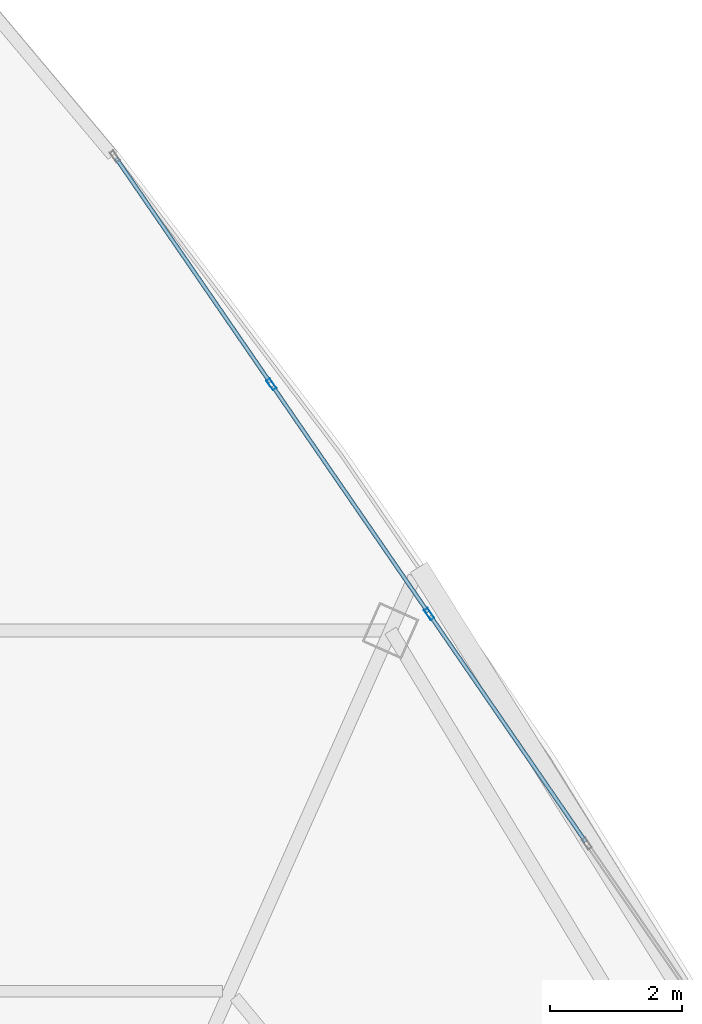
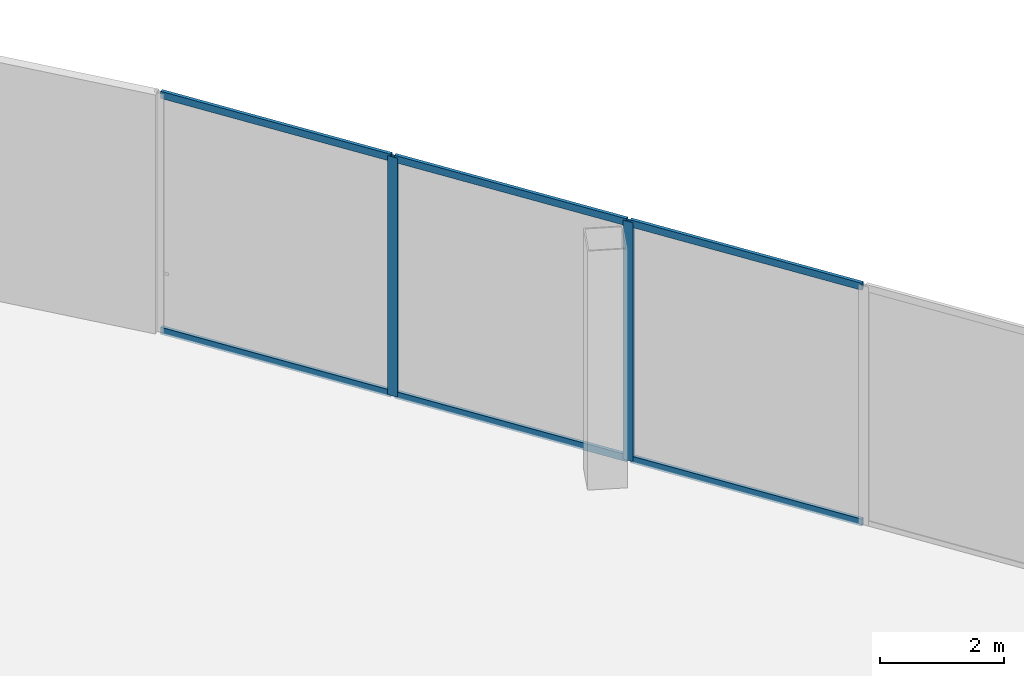
# One storey, part 27 of 32: 8 members, 1 element without a shape of its own.
"""IFC4 building model written with IfcOpenShell, lengths in metres."""

from ifc_helpers import new_model, si_unit, direction, frame, origin, origin_2d, place, context, subcontext, project, spatial, hollow_rectangle, extrude, source, transform, mapped, material, layer, layer_set, material_profile, profile_set, type_object, element, aggregate, save


model = new_model("IFC4")

# Units and contexts
model_context = context("Model", 3, precision=1e-05, world=origin(), true_north=direction((0.0, 1.0)))
body_context = subcontext(model_context, "Body", "Model", "MODEL_VIEW")
ifc_project = project(units=[si_unit("LENGTHUNIT", "METRE"), si_unit("AREAUNIT", "SQUARE_METRE"), si_unit("VOLUMEUNIT", "CUBIC_METRE"), si_unit("PLANEANGLEUNIT", "RADIAN"), si_unit("MASSUNIT", "GRAM", prefix="KILO"), si_unit("THERMODYNAMICTEMPERATUREUNIT", "KELVIN"), si_unit("POWERUNIT", "WATT")], contexts=[model_context])

# Site, building, storey
site_placement = place(None, origin())
site = spatial("IfcSite", under=ifc_project, at=site_placement, CompositionType="ELEMENT")
building_placement = place(site_placement, origin())
building = spatial("IfcBuilding", under=site, at=building_placement, Name="Yunzhuo Pagoda Commons", CompositionType="ELEMENT")
storey_placement = place(building_placement, frame((0.0, 0.0, 396.760009765625)))
storey = spatial("IfcBuildingStorey", under=building, at=storey_placement, Name="L98", CompositionType="ELEMENT", Elevation=396.760009765625)

# Curtain wall, members
ifc_material = material(Name="Anodized aluminium 6063-T6", Category="aluminium")
ifc_layer = layer(ifc_material, 0.179931640625)
ifc_layer_set = layer_set([ifc_layer], Name="Anodized aluminium 6063-T6")
curtain_wall_type = type_object("IfcCurtainWallType", Name="CW-CRN Crown Gable Glazing System", PredefinedType="NOTDEFINED", material=ifc_layer_set)
curtain_wall_placement = place(storey_placement, origin())
curtain_wall = element("IfcCurtainWall", 1, at=curtain_wall_placement, inside=storey, type_object=curtain_wall_type, Name="L98 curtain wall CW-L98-CRNF2G2", PredefinedType="NOTDEFINED")
ifc_material_profile_1 = material_profile(ifc_material, hollow_rectangle(XDim=0.06494140625, YDim=0.179931640625, WallThickness=0.00390625, at=origin_2d()), Name="Anodized aluminium 6063-T6")
ifc_profile_set_1 = profile_set([ifc_material_profile_1], Name="Anodized aluminium 6063-T6")
member_type_1 = type_object("IfcMemberType", Name="CW-CRN-M Mullion RHS 180x65x4", PredefinedType="MULLION", material=ifc_profile_set_1)
shared_shape_1 = source(origin(), body_context, "Body", "SweptSolid", [
    extrude(hollow_rectangle(XDim=0.06494140625, YDim=0.179931640625, WallThickness=0.00390625, at=origin_2d()), origin(), (0.0, 0.0, 1.0), 4.72021484375),
])
member_1_placement = place(storey_placement, frame((59.083984375, 57.5341796875, 0.0), z_axis=(0.0, 0.0, 1.0), x_axis=(-0.824296116005, -0.566158911561, 0.0)))
member_1 = element("IfcMember", 2, at=member_1_placement, type_object=member_type_1, Name="CW mullion 3", PredefinedType="MULLION", context=body_context, shape_type="MappedRepresentation", body=[
    mapped(shared_shape_1, transform((0.0, 0.0, 0.0), scale=1.0)),
])
member_2_placement = place(storey_placement, frame((56.693359375, 61.014892578125, 0.0), z_axis=(0.0, 0.0, 1.0), x_axis=(-0.824296116005, -0.566158911561, 0.0)))
member_2 = element("IfcMember", 3, at=member_2_placement, type_object=member_type_1, Name="CW mullion 4", PredefinedType="MULLION", context=body_context, shape_type="MappedRepresentation", body=[
    mapped(shared_shape_1, transform((0.0, 0.0, 0.0), scale=1.0)),
])
ifc_material_profile_2 = material_profile(ifc_material, hollow_rectangle(XDim=0.06005859375, YDim=0.139892578125, WallThickness=0.00341796875, at=origin_2d()), Name="Anodized aluminium 6063-T6")
ifc_profile_set_2 = profile_set([ifc_material_profile_2], Name="Anodized aluminium 6063-T6")
member_type_2 = type_object("IfcMemberType", Name="CW-CRN-T Transom RHS 140x60x3.5", PredefinedType="USERDEFINED", material=ifc_profile_set_2)
shared_shape_2 = source(origin(), body_context, "Body", "SweptSolid", [
    extrude(hollow_rectangle(XDim=0.06005859375, YDim=0.139892578125, WallThickness=0.00341796875, at=origin_2d()), origin(), (0.0, 0.0, 1.0), 4.125244140625),
])
member_3_placement = place(storey_placement, frame((56.6748046875, 61.04150390625, 0.030029296875), z_axis=(-0.566079141113, 0.824350899797, 0.0), x_axis=(-0.824350899797, -0.566079141113, 0.0)))
member_3 = element("IfcMember", 4, at=member_3_placement, type_object=member_type_2, Name="CW transom 4.1", ObjectType="TRANSOM", PredefinedType="USERDEFINED", context=body_context, shape_type="MappedRepresentation", body=[
    mapped(shared_shape_2, transform((0.0, 0.0, 0.0), scale=1.0)),
])
member_4_placement = place(storey_placement, frame((56.6748046875, 61.04150390625, 4.68994140625), z_axis=(-0.566079141113, 0.824350899797, 0.0), x_axis=(-0.824350899797, -0.566079141113, 0.0)))
member_4 = element("IfcMember", 5, at=member_4_placement, type_object=member_type_2, Name="CW transom 4.2", ObjectType="TRANSOM", PredefinedType="USERDEFINED", context=body_context, shape_type="MappedRepresentation", body=[
    mapped(shared_shape_2, transform((0.0, 0.0, 0.0), scale=1.0)),
])
shared_shape_3 = source(origin(), body_context, "Body", "SweptSolid", [
    extrude(hollow_rectangle(XDim=0.06005859375, YDim=0.139892578125, WallThickness=0.00341796875, at=origin_2d()), origin(), (0.0, 0.0, 1.0), 4.15771484375),
])
member_5_placement = place(storey_placement, frame((61.456298828125, 54.080078125, 0.030029296875), z_axis=(-0.566164930277, 0.824291982082, 0.0), x_axis=(-0.824291982082, -0.566164930277, 0.0)))
member_5 = element("IfcMember", 6, at=member_5_placement, type_object=member_type_2, Name="CW transom 2.1", ObjectType="TRANSOM", PredefinedType="USERDEFINED", context=body_context, shape_type="MappedRepresentation", body=[
    mapped(shared_shape_3, transform((0.0, 0.0, 0.0), scale=1.0)),
])
member_6_placement = place(storey_placement, frame((61.456298828125, 54.080078125, 4.68994140625), z_axis=(-0.566164930277, 0.824291982082, 0.0), x_axis=(-0.824291982082, -0.566164930277, 0.0)))
member_6 = element("IfcMember", 7, at=member_6_placement, type_object=member_type_2, Name="CW transom 2.2", ObjectType="TRANSOM", PredefinedType="USERDEFINED", context=body_context, shape_type="MappedRepresentation", body=[
    mapped(shared_shape_3, transform((0.0, 0.0, 0.0), scale=1.0)),
])
member_7_placement = place(storey_placement, frame((59.065673828125, 57.560791015625, 0.030029296875), z_axis=(-0.566164930277, 0.824291982082, 0.0), x_axis=(-0.824291982082, -0.566164930277, 0.0)))
member_7 = element("IfcMember", 8, at=member_7_placement, type_object=member_type_2, Name="CW transom 3.1", ObjectType="TRANSOM", PredefinedType="USERDEFINED", context=body_context, shape_type="MappedRepresentation", body=[
    mapped(shared_shape_3, transform((0.0, 0.0, 0.0), scale=1.0)),
])
member_8_placement = place(storey_placement, frame((59.065673828125, 57.560791015625, 4.68994140625), z_axis=(-0.566164930277, 0.824291982082, 0.0), x_axis=(-0.824291982082, -0.566164930277, 0.0)))
member_8 = element("IfcMember", 9, at=member_8_placement, type_object=member_type_2, Name="CW transom 3.2", ObjectType="TRANSOM", PredefinedType="USERDEFINED", context=body_context, shape_type="MappedRepresentation", body=[
    mapped(shared_shape_3, transform((0.0, 0.0, 0.0), scale=1.0)),
])
aggregate(curtain_wall, [member_1, member_2, member_5, member_6, member_7, member_8, member_3, member_4])

save(model, "model.ifc")
